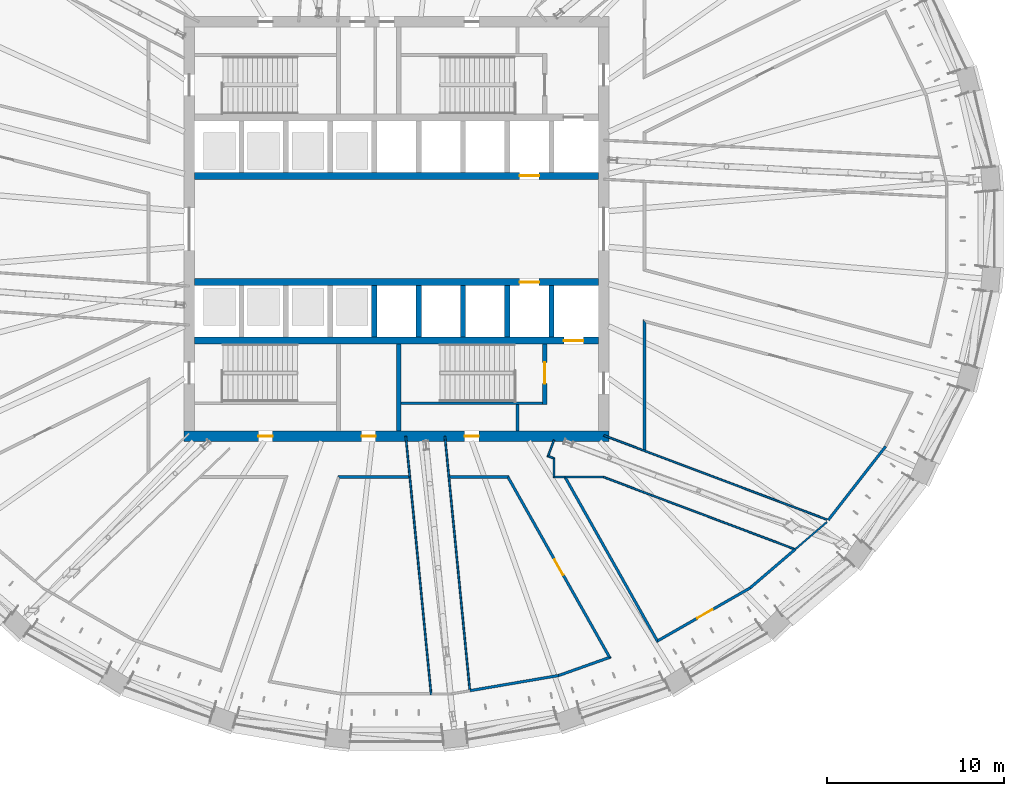
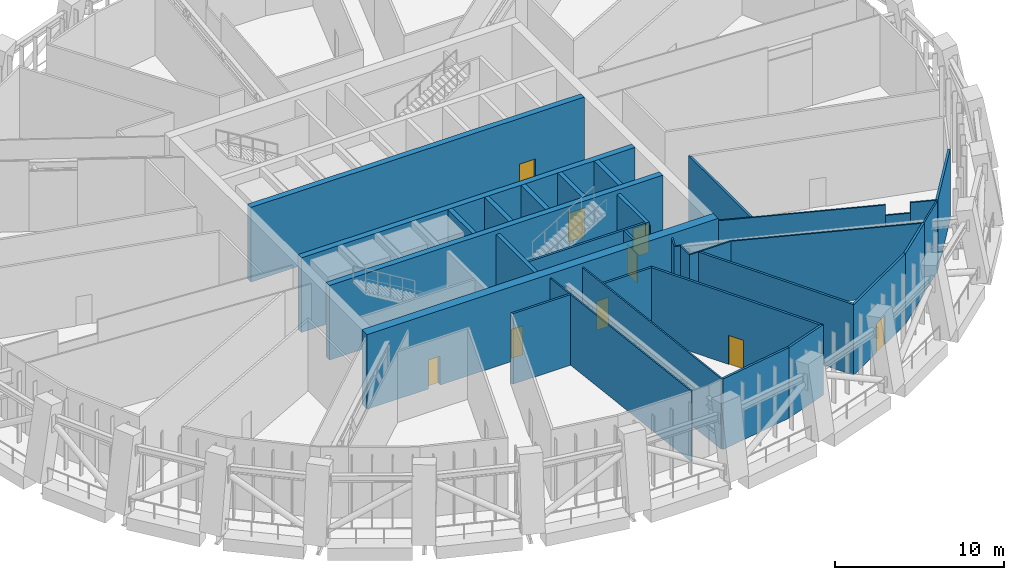
# One storey, part 8 of 21: 36 walls, 9 doors, 9 openings.
"""IFC4 building model written with IfcOpenShell, lengths in metres."""

from ifc_helpers import new_model, si_unit, direction, frame, frame_2d, origin, place, context, subcontext, project, spatial, polyline, rectangle, outline, extrude, material, layer, layer_set, type_object, element, fill, save


model = new_model("IFC4")

# Units and contexts
model_context = context("Model", 3, precision=1e-05, world=origin(), true_north=direction((0.0, 1.0)))
body_context = subcontext(model_context, "Body", "Model", "MODEL_VIEW")
ifc_project = project(units=[si_unit("LENGTHUNIT", "METRE"), si_unit("AREAUNIT", "SQUARE_METRE"), si_unit("VOLUMEUNIT", "CUBIC_METRE"), si_unit("PLANEANGLEUNIT", "RADIAN"), si_unit("MASSUNIT", "GRAM", prefix="KILO")], contexts=[model_context])

# Site, building, storey
site_placement = place(None, origin())
site = spatial("IfcSite", under=ifc_project, at=site_placement, CompositionType="ELEMENT")
building_placement = place(site_placement, origin())
building = spatial("IfcBuilding", under=site, at=building_placement, Name="Halqa Exchange Tower", CompositionType="ELEMENT")
storey_placement = place(building_placement, frame((0.0, 0.0, 173.5)))
storey = spatial("IfcBuildingStorey", under=building, at=storey_placement, Name="L39", CompositionType="ELEMENT", Elevation=173.5)

# Walls
ifc_material_1 = material(Name="Fire-rated gypsum board")
ifc_layer_1 = layer(ifc_material_1, 0.14990234375)
ifc_layer_set_1 = layer_set([ifc_layer_1], Name="Fire-rated gypsum board")
wall_type_1 = type_object("IfcWallType", Name="Fire partition EI 60 150", PredefinedType="PARTITIONING", material=ifc_layer_set_1)
wall_1_placement = place(storey_placement, frame((0.70703125, -14.0, 0.0), z_axis=(0.0, 0.0, 1.0), x_axis=(-1.0, 0.0, 0.0)))
element("IfcWall", 1, at=wall_1_placement, inside=storey, type_object=wall_type_1, Name="L39-PWL-050", PredefinedType="PARTITIONING", context=body_context, shape_type="SweptSolid", body=[
    extrude(outline(polyline([(4.020751953125, -0.074951171875), (4.020751953125, -0.074951171875), (3.967041015625, 0.0), (3.913330078125, 0.074951171875), (1.95654296875, 0.074951171875), (0.0, 0.074951171875), (0.0, 0.073974609375), (0.0068359375, 0.00390625), (0.0068359375, 0.00390625), (0.0146484375, -0.074951171875), (1.35009765625, -0.074951171875), (2.685302734375, -0.074951171875), (4.020751953125, -0.074951171875)])), origin(), (0.0, 0.0, 1.0), 5.10009765625),
])
wall_2_placement = place(storey_placement, frame((4.139892578125, -26.06005859375, 0.0), z_axis=(0.0, 0.0, 1.0), x_axis=(0.985642520361, 0.168845556817, 0.0)))
element("IfcWall", 2, at=wall_2_placement, inside=storey, type_object=wall_type_1, Name="L39-PWL-057", PredefinedType="PARTITIONING", context=body_context, shape_type="SweptSolid", body=[
    extrude(outline(polyline([(0.0, -0.074951171875), (1.699951171875, -0.074951171875), (3.39990234375, -0.074951171875), (5.099609375, -0.074951171875), (5.0869140625, 0.074951171875), (3.39111328125, 0.074951171875), (1.695556640625, 0.074951171875), (0.0, 0.074951171875), (0.0, -0.074951171875)])), origin(), (0.0, 0.0, 1.0), 5.10009765625),
])
wall_3_placement = place(storey_placement, frame((6.333740234375, -14.0, 0.0), z_axis=(0.0, 0.0, 1.0), x_axis=(-1.0, 0.0, 0.0)))
element("IfcWall", 3, at=wall_3_placement, inside=storey, type_object=wall_type_1, Name="L39-PWL-061", PredefinedType="PARTITIONING", context=body_context, shape_type="SweptSolid", body=[
    extrude(outline(polyline([(3.334716796875, -0.074951171875), (3.334716796875, -0.071533203125), (3.3203125, 0.074951171875), (1.703857421875, 0.074951171875), (0.08740234375, 0.074951171875), (0.043701171875, 0.0), (0.0, -0.074951171875), (0.0, -0.074951171875), (1.66748046875, -0.074951171875), (3.334716796875, -0.074951171875)])), origin(), (0.0, 0.0, 1.0), 5.10009765625),
])
wall_4_placement = place(storey_placement, frame((9.15380859375, -25.2021484375, 0.0), z_axis=(0.0, 0.0, 1.0), x_axis=(0.942266464774, 0.334864016224, 0.0)))
element("IfcWall", 4, at=wall_4_placement, inside=storey, type_object=wall_type_1, Name="L39-PWL-069", PredefinedType="PARTITIONING", context=body_context, shape_type="SweptSolid", body=[
    extrude(outline(polyline([(0.0, -0.074951171875), (1.57080078125, -0.074951171875), (3.1416015625, -0.074951171875), (2.96337890625, 0.074951171875), (1.48828125, 0.074951171875), (0.012939453125, 0.074951171875), (0.0, -0.074951171875)])), origin(), (0.0, 0.0, 1.0), 5.10009765625),
])
wall_5_placement = place(storey_placement, frame((9.517578125, -14.013671875, 0.0), z_axis=(0.0, 0.0, 1.0), x_axis=(0.490856680629, -0.871240333709, 0.0)))
element("IfcWall", 5, at=wall_5_placement, inside=storey, type_object=wall_type_1, Name="L39-PWL-070", PredefinedType="PARTITIONING", context=body_context, shape_type="SweptSolid", body=[
    extrude(outline(polyline([(0.0, -0.074951171875), (1.78076171875, -0.074951171875), (3.5615234375, -0.074951171875), (5.342529296875, -0.074951171875), (7.123291015625, -0.074951171875), (8.904052734375, -0.074951171875), (10.684814453125, -0.074951171875), (10.626220703125, -0.016845703125), (10.533935546875, 0.074951171875), (8.792236328125, 0.074951171875), (7.050537109375, 0.074951171875), (5.308837890625, 0.074951171875), (3.5673828125, 0.074951171875), (1.82568359375, 0.074951171875), (0.083984375, 0.074951171875), (0.02783203125, -0.0244140625), (0.0, -0.0087890625), (0.0, -0.00927734375), (0.027587890625, -0.02490234375), (0.0, -0.073974609375), (0.0, -0.074951171875)])), origin(), (0.0, 0.0, 1.0), 5.10009765625),
])

# Wall, opening, door
wall_6_placement = place(storey_placement, frame((12.07373046875, -24.2578125, 0.0), z_axis=(0.0, 0.0, 1.0), x_axis=(-0.491143591973, 0.87107862565, 0.0)))
wall_6 = element("IfcWall", 6, at=wall_6_placement, inside=storey, type_object=wall_type_1, Name="L39-PWL-077", PredefinedType="PARTITIONING", context=body_context, shape_type="SweptSolid", body=[
    extrude(outline(polyline([(0.000244140625, -0.074951171875), (1.97021484375, -0.074951171875), (3.940185546875, -0.074951171875), (5.91015625, -0.074951171875), (7.8798828125, -0.074951171875), (9.849853515625, -0.074951171875), (11.81982421875, -0.074951171875), (11.732177734375, 0.074951171875), (9.806640625, 0.074951171875), (7.881103515625, 0.074951171875), (5.955322265625, 0.074951171875), (4.02978515625, 0.074951171875), (2.10400390625, 0.074951171875), (0.178466796875, 0.074951171875), (0.000244140625, -0.074951171875)])), origin(), (0.0, 0.0, 1.0), 5.10009765625),
])
opening_1_placement = place(wall_6_placement, frame((5.4326171875, 0.0, 0.0)))
opening_1 = element("IfcOpeningElement", 7, at=opening_1_placement, cuts=wall_6, Name="Opening L39-05", PredefinedType="OPENING", context=body_context, shape_type="SweptSolid", body=[
    extrude(rectangle(XDim=1.0, YDim=2.10009765625, at=frame_2d((0.5, 1.050048828125))), frame((0.0, 0.0869140625, 0.0), z_axis=(0.0, -1.0, 0.0), x_axis=(1.0, 0.0, 0.0)), (0.0, 0.0, 1.0), 0.173828125),
])
ifc_material_2 = material(Name="Steel fire door leaf", Category="steel")
door_type_1 = type_object("IfcDoorType", Name="Fire door FD30S 1000 x 2100", OperationType="SINGLE_SWING_LEFT", PredefinedType="DOOR", material=ifc_material_2)
door_1_placement = place(opening_1_placement, origin())
door_1 = element("IfcDoor", 8, at=door_1_placement, inside=storey, type_object=door_type_1, Name="L39-IDR-005", OperationType="SINGLE_SWING_RIGHT", OverallHeight=2.10009765625, OverallWidth=1.0, PredefinedType="DOOR", context=body_context, shape_type="SweptSolid", body=[
    extrude(rectangle(XDim=1.0, YDim=2.10009765625, at=frame_2d((0.5, 1.050048828125))), frame((0.0, 0.02490234375, 0.0), z_axis=(0.0, -1.0, 0.0), x_axis=(1.0, 0.0, 0.0)), (0.0, 0.0, 1.0), 0.050048828125),
])
fill(opening_1, door_1)

# Wall
wall_7_placement = place(storey_placement, frame((14.0, -5.1123046875, 0.0), z_axis=(0.0, 0.0, 1.0), x_axis=(0.0, -1.0, 0.0)))
element("IfcWall", 9, at=wall_7_placement, inside=storey, type_object=wall_type_1, Name="L39-PWL-080", PredefinedType="PARTITIONING", context=body_context, shape_type="SweptSolid", body=[
    extrude(outline(polyline([(0.0, -0.074951171875), (1.830810546875, -0.074951171875), (3.661865234375, -0.074951171875), (5.49267578125, -0.074951171875), (7.32373046875, -0.074951171875), (7.380126953125, 0.07470703125), (7.380126953125, 0.074951171875), (5.583984375, 0.074951171875), (3.787841796875, 0.074951171875), (1.99169921875, 0.074951171875), (0.1953125, 0.074951171875), (0.09765625, 0.0), (0.0, -0.074951171875)])), origin(), (0.0, 0.0, 1.0), 5.10009765625),
])

# Wall, opening, door
wall_8_placement = place(storey_placement, frame((14.65966796875, -23.294677734375, 0.0), z_axis=(0.0, 0.0, 1.0), x_axis=(0.867839906405, 0.496843936111, 0.0)))
wall_8 = element("IfcWall", 10, at=wall_8_placement, inside=storey, type_object=wall_type_1, Name="L39-PWL-085", PredefinedType="PARTITIONING", context=body_context, shape_type="SweptSolid", body=[
    extrude(outline(polyline([(0.000244140625, -0.074951171875), (1.52880859375, -0.074951171875), (3.057373046875, -0.074951171875), (4.586181640625, -0.074951171875), (6.11474609375, -0.074951171875), (6.1005859375, 0.074951171875), (4.117431640625, 0.074951171875), (2.13427734375, 0.074951171875), (0.151123046875, 0.074951171875), (0.000244140625, -0.074951171875)])), origin(), (0.0, 0.0, 1.0), 5.10009765625),
])
opening_2_placement = place(wall_8_placement, frame((2.669189453125, 0.0, 0.0)))
opening_2 = element("IfcOpeningElement", 11, at=opening_2_placement, cuts=wall_8, Name="Opening L39-06", PredefinedType="OPENING", context=body_context, shape_type="SweptSolid", body=[
    extrude(rectangle(XDim=1.0, YDim=2.10009765625, at=frame_2d((0.5, 1.050048828125))), frame((0.0, 0.0869140625, 0.0), z_axis=(0.0, -1.0, 0.0), x_axis=(1.0, 0.0, 0.0)), (0.0, 0.0, 1.0), 0.173828125),
])
door_2_placement = place(opening_2_placement, origin())
door_2 = element("IfcDoor", 12, at=door_2_placement, inside=storey, type_object=door_type_1, Name="L39-IDR-006", OperationType="SINGLE_SWING_RIGHT", OverallHeight=2.10009765625, OverallWidth=1.0, PredefinedType="DOOR", context=body_context, shape_type="SweptSolid", body=[
    extrude(rectangle(XDim=1.0, YDim=2.10009765625, at=frame_2d((0.5, 1.050048828125))), frame((0.0, 0.02490234375, 0.0), z_axis=(0.0, -1.0, 0.0), x_axis=(1.0, 0.0, 0.0)), (0.0, 0.0, 1.0), 0.050048828125),
])
fill(opening_2, door_2)

# Walls
wall_9_placement = place(storey_placement, frame((19.95458984375, -20.2646484375, 0.0), z_axis=(0.0, 0.0, 1.0), x_axis=(0.75884543571, 0.651270761436, 0.0)))
element("IfcWall", 13, at=wall_9_placement, inside=storey, type_object=wall_type_1, Name="L39-PWL-088", PredefinedType="PARTITIONING", context=body_context, shape_type="SweptSolid", body=[
    extrude(outline(polyline([(3.354248046875, 0.074951171875), (1.684326171875, 0.074951171875), (0.01416015625, 0.074951171875), (0.0, -0.074951171875), (1.67724609375, -0.074951171875), (3.354248046875, -0.074951171875), (3.354248046875, 0.074951171875)])), origin(), (0.0, 0.0, 1.0), 5.10009765625),
])
wall_10_placement = place(storey_placement, frame((24.3701171875, -16.429931640625, 0.0), z_axis=(0.0, 0.0, 1.0), x_axis=(0.614465385261, 0.788943781467, 0.0)))
element("IfcWall", 14, at=wall_10_placement, inside=storey, type_object=wall_type_1, Name="L39-PWL-094", PredefinedType="PARTITIONING", context=body_context, shape_type="SweptSolid", body=[
    extrude(outline(polyline([(0.0, -0.074951171875), (1.76025390625, -0.074951171875), (3.5205078125, -0.074951171875), (5.28076171875, -0.074951171875), (5.264892578125, 0.074951171875), (3.509765625, 0.074951171875), (1.7548828125, 0.074951171875), (0.0, 0.074951171875), (0.0, -0.074951171875)])), origin(), (0.0, 0.0, 1.0), 5.10009765625),
])
ifc_material_3 = material(Name="Gypsum board")
ifc_layer_2 = layer(ifc_material_3, 0.10009765625)
ifc_layer_set_2 = layer_set([ifc_layer_2], Name="Gypsum board")
wall_type_2 = type_object("IfcWallType", Name="Partition 100 gypsum", PredefinedType="PARTITIONING", material=ifc_layer_set_2)
wall_11_placement = place(storey_placement, frame((0.52001953125, -11.699951171875, 0.0), z_axis=(0.0, 0.0, 1.0), x_axis=(0.099535104197, -0.995034051192, 0.0)))
element("IfcWall", 15, at=wall_11_placement, inside=storey, type_object=wall_type_2, Name="L39-PWL-049", PredefinedType="PARTITIONING", context=body_context, shape_type="SweptSolid", body=[
    extrude(outline(polyline([(0.0, -0.050048828125), (2.231201171875, -0.050048828125), (2.231201171875, -0.0498046875), (2.233154296875, -0.050048828125), (2.310546875, -0.050048828125), (2.310546875, -0.006103515625), (2.310546875, 0.050048828125), (0.0, 0.050048828125), (0.0, -0.050048828125)])), origin(), (0.0, 0.0, 1.0), 5.10009765625),
])
wall_12_placement = place(storey_placement, frame((0.75, -13.9990234375, 0.0), z_axis=(0.0, 0.0, 1.0), x_axis=(0.097559905923, -0.995229654279, 0.0)))
element("IfcWall", 16, at=wall_12_placement, inside=storey, type_object=wall_type_2, Name="L39-PWL-051", PredefinedType="PARTITIONING", context=body_context, shape_type="SweptSolid", body=[
    extrude(rectangle(XDim=12.349609375, YDim=0.10009765625, at=frame_2d((6.1748046875, 0.0))), origin(), (0.0, 0.0, 1.0), 5.10009765625),
])
wall_13_placement = place(storey_placement, frame((2.72998046875, -11.699951171875, 0.0), z_axis=(0.0, 0.0, 1.0), x_axis=(0.09772373037, -0.99521358136, 0.0)))
element("IfcWall", 17, at=wall_13_placement, inside=storey, type_object=wall_type_2, Name="L39-PWL-054", PredefinedType="PARTITIONING", context=body_context, shape_type="SweptSolid", body=[
    extrude(outline(polyline([(14.382568359375, -0.050048828125), (14.382568359375, -0.048828125), (14.379150390625, -0.003662109375), (14.382568359375, -0.00341796875), (14.382568359375, -0.00341796875), (14.354248046875, -0.00537109375), (14.350341796875, 0.050048828125), (12.357177734375, 0.050048828125), (10.364013671875, 0.050048828125), (8.370849609375, 0.050048828125), (6.377685546875, 0.050048828125), (4.384521484375, 0.050048828125), (2.391357421875, 0.050048828125), (2.391357421875, 0.049072265625), (2.38134765625, 0.050048828125), (0.0, 0.050048828125), (0.0, -0.050048828125), (1.7978515625, -0.050048828125), (3.595703125, -0.050048828125), (5.3935546875, -0.050048828125), (7.19140625, -0.050048828125), (8.989013671875, -0.050048828125), (10.786865234375, -0.050048828125), (12.584716796875, -0.050048828125), (14.382568359375, -0.050048828125)])), origin(), (0.0, 0.0, 1.0), 5.10009765625),
])
wall_14_placement = place(storey_placement, frame((8.503662109375, -12.80224609375, 0.0), z_axis=(0.0, 0.0, 1.0), x_axis=(0.933934171126, -0.357445050326, 0.0)))
element("IfcWall", 18, at=wall_14_placement, inside=storey, type_object=wall_type_2, Name="L39-PWL-064", PredefinedType="PARTITIONING", context=body_context, shape_type="SweptSolid", body=[
    extrude(outline(polyline([(0.0, -0.050048828125), (0.379150390625, -0.050048828125), (0.447998046875, 0.050048828125), (0.099365234375, 0.050048828125), (0.0, -0.050048828125)])), origin(), (0.0, 0.0, 1.0), 5.10009765625),
])
wall_15_placement = place(storey_placement, frame((8.840087890625, -14.0, 0.0), z_axis=(0.0, 0.0, 1.0), x_axis=(1.0, 0.0, 0.0)))
element("IfcWall", 19, at=wall_15_placement, inside=storey, type_object=wall_type_2, Name="L39-PWL-065", PredefinedType="PARTITIONING", context=body_context, shape_type="SweptSolid", body=[
    extrude(outline(polyline([(0.66943359375, 0.050048828125), (0.099853515625, 0.050048828125), (0.0, -0.0498046875), (0.0, -0.050048828125), (0.66943359375, -0.050048828125), (0.66943359375, 0.050048828125)])), origin(), (0.0, 0.0, 1.0), 5.10009765625),
])
wall_16_placement = place(storey_placement, frame((8.889892578125, -12.91552734375, 0.0), z_axis=(0.0, 0.0, 1.0), x_axis=(0.0, -1.0, 0.0)))
element("IfcWall", 20, at=wall_16_placement, inside=storey, type_object=wall_type_2, Name="L39-PWL-066", PredefinedType="PARTITIONING", context=body_context, shape_type="SweptSolid", body=[
    extrude(outline(polyline([(1.134521484375, -0.050048828125), (1.134521484375, -0.050048828125), (1.034423828125, 0.050048828125), (0.0, 0.050048828125), (0.069091796875, -0.050048828125), (1.134521484375, -0.050048828125)])), origin(), (0.0, 0.0, 1.0), 5.10009765625),
])
wall_17_placement = place(storey_placement, frame((8.889892578125, -11.909912109375, 0.0), z_axis=(0.0, 0.0, 1.0), x_axis=(-0.349812924814, -0.936819575817, 0.0)))
element("IfcWall", 21, at=wall_17_placement, inside=storey, type_object=wall_type_2, Name="L39-PWL-067", PredefinedType="PARTITIONING", context=body_context, shape_type="SweptSolid", body=[
    extrude(outline(polyline([(1.02099609375, -0.050048828125), (1.02099609375, -0.050048828125), (0.921875, 0.050048828125), (0.0, 0.050048828125), (0.0, -0.050048828125), (1.02099609375, -0.050048828125)])), origin(), (0.0, 0.0, 1.0), 5.10009765625),
])
wall_18_placement = place(storey_placement, frame((9.510009765625, -14.0, 0.0), z_axis=(0.0, 0.0, 1.0), x_axis=(1.0, 0.0, 0.0)))
element("IfcWall", 22, at=wall_18_placement, inside=storey, type_object=wall_type_2, Name="L39-PWL-071", PredefinedType="PARTITIONING", context=body_context, shape_type="SweptSolid", body=[
    extrude(outline(polyline([(0.0, -0.050048828125), (2.160888671875, -0.050048828125), (2.17919921875, 0.050048828125), (0.0, 0.050048828125), (0.0, -0.050048828125)])), origin(), (0.0, 0.0, 1.0), 5.10009765625),
])
wall_19_placement = place(storey_placement, frame((11.67138671875, -13.996826171875, 0.0), z_axis=(0.0, 0.0, 1.0), x_axis=(0.935692249909, -0.352817252215, 0.0)))
element("IfcWall", 23, at=wall_19_placement, inside=storey, type_object=wall_type_2, Name="L39-PWL-073", PredefinedType="PARTITIONING", context=body_context, shape_type="SweptSolid", body=[
    extrude(outline(polyline([(0.018310546875, -0.050048828125), (1.92529296875, -0.050048828125), (3.832275390625, -0.050048828125), (5.7392578125, -0.050048828125), (7.646240234375, -0.050048828125), (9.552978515625, -0.050048828125), (11.4599609375, -0.050048828125), (11.507080078125, 0.035888671875), (11.529052734375, 0.02392578125), (11.542724609375, 0.049072265625), (11.542724609375, 0.050048828125), (9.618896484375, 0.050048828125), (7.695068359375, 0.050048828125), (5.771484375, 0.050048828125), (3.84765625, 0.050048828125), (1.923828125, 0.050048828125), (0.0, 0.050048828125), (0.00927734375, 0.0), (0.018310546875, -0.0498046875), (0.018310546875, -0.050048828125), (0.018310546875, -0.050048828125)])), origin(), (0.0, 0.0, 1.0), 5.10009765625),
])
wall_20_placement = place(storey_placement, frame((11.699951171875, -11.64990234375, 0.0), z_axis=(0.0, 0.0, 1.0), x_axis=(0.935630078932, -0.352982089343, 0.0)))
element("IfcWall", 24, at=wall_20_placement, inside=storey, type_object=wall_type_2, Name="L39-PWL-074", PredefinedType="PARTITIONING", context=body_context, shape_type="SweptSolid", body=[
    extrude(rectangle(XDim=10.461181640625, YDim=0.10009765625, at=frame_2d((5.23046875, 0.0))), origin(), (0.0, 0.0, 1.0), 5.10009765625),
])
wall_21_placement = place(storey_placement, frame((22.5, -18.080078125, 0.0), z_axis=(0.0, 0.0, 1.0), x_axis=(0.758900038002, 0.651207134728, 0.0)))
element("IfcWall", 25, at=wall_21_placement, inside=storey, type_object=wall_type_2, Name="L39-PWL-091", PredefinedType="PARTITIONING", context=body_context, shape_type="SweptSolid", body=[
    extrude(rectangle(XDim=2.369140625, YDim=0.10009765625, at=frame_2d((1.1845703125, 0.0))), origin(), (0.0, 0.0, 1.0), 5.10009765625),
])
wall_22_placement = place(storey_placement, frame((21.48779296875, -15.342529296875, 0.0), z_axis=(0.0, 0.0, 1.0), x_axis=(0.935620103048, -0.353008530735, 0.0)))
element("IfcWall", 26, at=wall_22_placement, inside=storey, type_object=wall_type_2, Name="L39-PWL-113", PredefinedType="PARTITIONING", context=body_context, shape_type="SweptSolid", body=[
    extrude(rectangle(XDim=1.48974609375, YDim=0.10009765625, at=frame_2d((0.744873046875, 0.0))), origin(), (0.0, 0.0, 1.0), 4.346923828125),
])
wall_23_placement = place(storey_placement, frame((22.881591796875, -15.868408203125, 0.0), z_axis=(0.0, 0.0, 1.0), x_axis=(0.935614725435, -0.353022783327, 0.0)))
element("IfcWall", 27, at=wall_23_placement, inside=storey, type_object=wall_type_2, Name="L39-PWL-114", PredefinedType="PARTITIONING", context=body_context, shape_type="SweptSolid", body=[
    extrude(rectangle(XDim=1.520751953125, YDim=0.10009765625, at=frame_2d((0.76025390625, 0.0))), origin(), (0.0, 0.0, 1.0), 5.10009765625),
])
ifc_layer_3 = layer(ifc_material_3, 0.14990234375)
ifc_layer_set_3 = layer_set([ifc_layer_3], Name="Gypsum board")
wall_type_3 = type_object("IfcWallType", Name="Penthouse riser wall 150 gypsum", PredefinedType="PARTITIONING", material=ifc_layer_set_3)
wall_24_placement = place(storey_placement, frame((6.824951171875, -11.39990234375, 0.0), z_axis=(0.0, 0.0, 1.0), x_axis=(0.0, 1.0, 0.0)))
element("IfcWall", 28, at=wall_24_placement, inside=storey, type_object=wall_type_3, Name="Firefighting lobby west wall S", PredefinedType="PARTITIONING", context=body_context, shape_type="SweptSolid", body=[
    extrude(rectangle(XDim=1.5, YDim=0.14990234375, at=frame_2d((0.75, 0.0))), origin(), (0.0, 0.0, 1.0), 5.10009765625),
])
ifc_material_4 = material(Name="Concrete C60/75", Category="concrete")
ifc_layer_4 = layer(ifc_material_4, 0.300048828125)
ifc_layer_set_4 = layer_set([ifc_layer_4], Name="Concrete C60/75")
wall_type_4 = type_object("IfcWallType", Name="RC core wall 300", PredefinedType="SHEAR", material=ifc_layer_set_4)
for number, where, z_axis, x_axis, name in (
    (29, (-1.25, -6.10009765625, 0.0), (0.0, 0.0, 1.0), (0.0, 1.0, 0.0), "Shaft divider S4"),
    (30, (1.25, -6.10009765625, 0.0), (0.0, 0.0, 1.0), (0.0, 1.0, 0.0), "Shaft divider S5"),
    (31, (3.75, -6.10009765625, 0.0), (0.0, 0.0, 1.0), (0.0, 1.0, 0.0), "Shaft divider S6"),
    (32, (6.25, -6.10009765625, 0.0), (0.0, 0.0, 1.0), (0.0, 1.0, 0.0), "Shaft divider S7"),
    (33, (8.75, -6.10009765625, 0.0), (0.0, 0.0, 1.0), (0.0, 1.0, 0.0), "Shaft divider S8"),
):
    element("IfcWall", number, at=place(storey_placement, frame(where, z_axis=z_axis, x_axis=x_axis)), inside=storey, type_object=wall_type_4, Name=name, PredefinedType="SHEAR", context=body_context, shape_type="SweptSolid", body=[
        extrude(rectangle(XDim=2.900146484375, YDim=0.300048828125, at=frame_2d((1.4501953125, 0.0))), origin(), (0.0, 0.0, 1.0), 5.39990234375),
    ])

# Wall, opening, door
ifc_material_5 = material(Name="Concrete C70/85", Category="concrete")
ifc_layer_5 = layer(ifc_material_5, 0.39990234375)
ifc_layer_set_5 = layer_set([ifc_layer_5], Name="Concrete C70/85")
wall_type_5 = type_object("IfcWallType", Name="RC core wall 400 C70/85", PredefinedType="SHEAR", material=ifc_layer_set_5)
wall_25_placement = place(storey_placement, frame((-11.39990234375, 3.0, 0.0), z_axis=(0.0, 0.0, 1.0), x_axis=(1.0, 0.0, 0.0)))
wall_25 = element("IfcWall", 34, at=wall_25_placement, inside=storey, type_object=wall_type_5, Name="Lift row front wall N", PredefinedType="SHEAR", context=body_context, shape_type="SweptSolid", body=[
    extrude(rectangle(XDim=22.7998046875, YDim=0.39990234375, at=frame_2d((11.39990234375, 0.0))), origin(), (0.0, 0.0, 1.0), 5.39990234375),
])
opening_3_placement = place(wall_25_placement, frame((18.35009765625, 0.0, 0.0)))
opening_3 = element("IfcOpeningElement", 35, at=opening_3_placement, cuts=wall_25, Name="Opening LD-SV1-L39", PredefinedType="OPENING", context=body_context, shape_type="SweptSolid", body=[
    extrude(rectangle(XDim=1.10009765625, YDim=2.10009765625, at=frame_2d((0.550048828125, 1.050048828125))), frame((0.0, 0.2119140625, 0.0), z_axis=(0.0, -1.0, 0.0), x_axis=(1.0, 0.0, 0.0)), (0.0, 0.0, 1.0), 0.423828125),
])
ifc_material_6 = material(Name="Stainless steel", Category="steel")
door_type_2 = type_object("IfcDoorType", Name="Lift landing door 1100 x 2100", OperationType="SLIDING_TO_LEFT", PredefinedType="DOOR", material=ifc_material_6)
door_3_placement = place(opening_3_placement, origin())
door_3 = element("IfcDoor", 36, at=door_3_placement, inside=storey, type_object=door_type_2, Name="Lift landing door SV1", OperationType="SLIDING_TO_LEFT", OverallHeight=2.10009765625, OverallWidth=1.10009765625, PredefinedType="DOOR", context=body_context, shape_type="SweptSolid", body=[
    extrude(rectangle(XDim=1.10009765625, YDim=2.10009765625, at=frame_2d((0.550048828125, 1.050048828125))), frame((0.0, 0.02490234375, 0.0), z_axis=(0.0, -1.0, 0.0), x_axis=(1.0, 0.0, 0.0)), (0.0, 0.0, 1.0), 0.050048828125),
])
fill(opening_3, door_3)

wall_26_placement = place(storey_placement, frame((-11.39990234375, -3.0, 0.0), z_axis=(0.0, 0.0, 1.0), x_axis=(1.0, 0.0, 0.0)))
wall_26 = element("IfcWall", 37, at=wall_26_placement, inside=storey, type_object=wall_type_5, Name="Lift row front wall S", PredefinedType="SHEAR", context=body_context, shape_type="SweptSolid", body=[
    extrude(rectangle(XDim=22.7998046875, YDim=0.39990234375, at=frame_2d((11.39990234375, 0.0))), origin(), (0.0, 0.0, 1.0), 5.39990234375),
])
opening_4_placement = place(wall_26_placement, frame((18.35009765625, 0.0, 0.0)))
opening_4 = element("IfcOpeningElement", 38, at=opening_4_placement, cuts=wall_26, Name="Opening LD-SV2-L39", PredefinedType="OPENING", context=body_context, shape_type="SweptSolid", body=[
    extrude(rectangle(XDim=1.10009765625, YDim=2.10009765625, at=frame_2d((0.550048828125, 1.050048828125))), frame((0.0, 0.2119140625, 0.0), z_axis=(0.0, -1.0, 0.0), x_axis=(1.0, 0.0, 0.0)), (0.0, 0.0, 1.0), 0.423828125),
])
door_4_placement = place(opening_4_placement, origin())
door_4 = element("IfcDoor", 39, at=door_4_placement, inside=storey, type_object=door_type_2, Name="Lift landing door SV2", OperationType="SLIDING_TO_LEFT", OverallHeight=2.10009765625, OverallWidth=1.10009765625, PredefinedType="DOOR", context=body_context, shape_type="SweptSolid", body=[
    extrude(rectangle(XDim=1.10009765625, YDim=2.10009765625, at=frame_2d((0.550048828125, 1.050048828125))), frame((0.0, 0.02490234375, 0.0), z_axis=(0.0, -1.0, 0.0), x_axis=(1.0, 0.0, 0.0)), (0.0, 0.0, 1.0), 0.050048828125),
])
fill(opening_4, door_4)

wall_27_placement = place(storey_placement, frame((-11.39990234375, -6.300048828125, 0.0), z_axis=(0.0, 0.0, 1.0), x_axis=(1.0, 0.0, 0.0)))
wall_27 = element("IfcWall", 40, at=wall_27_placement, inside=storey, type_object=wall_type_5, Name="Lift row back wall S", PredefinedType="SHEAR", context=body_context, shape_type="SweptSolid", body=[
    extrude(rectangle(XDim=22.7998046875, YDim=0.39990234375, at=frame_2d((11.39990234375, 0.0))), origin(), (0.0, 0.0, 1.0), 5.39990234375),
])
opening_5_placement = place(wall_27_placement, frame((20.85009765625, 0.0, 0.0)))
opening_5 = element("IfcOpeningElement", 41, at=opening_5_placement, cuts=wall_27, Name="Opening LD-FF2-L39", PredefinedType="OPENING", context=body_context, shape_type="SweptSolid", body=[
    extrude(rectangle(XDim=1.10009765625, YDim=2.10009765625, at=frame_2d((0.550048828125, 1.050048828125))), frame((0.0, 0.2119140625, 0.0), z_axis=(0.0, -1.0, 0.0), x_axis=(1.0, 0.0, 0.0)), (0.0, 0.0, 1.0), 0.423828125),
])
door_5_placement = place(opening_5_placement, origin())
door_5 = element("IfcDoor", 42, at=door_5_placement, inside=storey, type_object=door_type_2, Name="Lift landing door FF2", OperationType="SLIDING_TO_LEFT", OverallHeight=2.10009765625, OverallWidth=1.10009765625, PredefinedType="DOOR", context=body_context, shape_type="SweptSolid", body=[
    extrude(rectangle(XDim=1.10009765625, YDim=2.10009765625, at=frame_2d((0.550048828125, 1.050048828125))), frame((0.0, 0.02490234375, 0.0), z_axis=(0.0, -1.0, 0.0), x_axis=(1.0, 0.0, 0.0)), (0.0, 0.0, 1.0), 0.050048828125),
])
fill(opening_5, door_5)

# Wall, openings, doors
ifc_layer_6 = layer(ifc_material_5, 0.60009765625)
ifc_layer_set_6 = layer_set([ifc_layer_6], Name="Concrete C70/85")
wall_type_6 = type_object("IfcWallType", Name="RC core wall 600 C70/85", PredefinedType="SHEAR", material=ifc_layer_set_6)
wall_28_placement = place(storey_placement, frame((-12.0, -11.699951171875, 0.0), z_axis=(0.0, 0.0, 1.0), x_axis=(1.0, 0.0, 0.0)))
wall_28 = element("IfcWall", 43, at=wall_28_placement, inside=storey, type_object=wall_type_6, Name="Core wall south", PredefinedType="SHEAR", context=body_context, shape_type="SweptSolid", body=[
    extrude(rectangle(XDim=24.0, YDim=0.60009765625, at=frame_2d((12.0, 0.0))), origin(), (0.0, 0.0, 1.0), 5.39990234375),
])
opening_6_placement = place(wall_28_placement, frame((10.02490234375, 0.0, 0.0)))
opening_6 = element("IfcOpeningElement", 44, at=opening_6_placement, cuts=wall_28, Name="Opening L39-C17", PredefinedType="OPENING", context=body_context, shape_type="SweptSolid", body=[
    extrude(rectangle(XDim=0.800048828125, YDim=2.10009765625, at=frame_2d((0.39990234375, 1.050048828125))), frame((0.0, 0.31201171875, 0.0), z_axis=(0.0, -1.0, 0.0), x_axis=(1.0, 0.0, 0.0)), (0.0, 0.0, 1.0), 0.6240234375),
])
opening_7_placement = place(wall_28_placement, frame((4.199951171875, 0.0, 0.0)))
opening_7 = element("IfcOpeningElement", 45, at=opening_7_placement, cuts=wall_28, Name="Opening L39-C18", PredefinedType="OPENING", context=body_context, shape_type="SweptSolid", body=[
    extrude(rectangle(XDim=0.800048828125, YDim=2.10009765625, at=frame_2d((0.39990234375, 1.050048828125))), frame((0.0, 0.31201171875, 0.0), z_axis=(0.0, -1.0, 0.0), x_axis=(1.0, 0.0, 0.0)), (0.0, 0.0, 1.0), 0.6240234375),
])
opening_8_placement = place(wall_28_placement, frame((15.85009765625, 0.0, 0.0)))
opening_8 = element("IfcOpeningElement", 46, at=opening_8_placement, cuts=wall_28, Name="Opening L39-C19", PredefinedType="OPENING", context=body_context, shape_type="SweptSolid", body=[
    extrude(rectangle(XDim=0.800048828125, YDim=2.10009765625, at=frame_2d((0.39990234375, 1.050048828125))), frame((0.0, 0.31201171875, 0.0), z_axis=(0.0, -1.0, 0.0), x_axis=(1.0, 0.0, 0.0)), (0.0, 0.0, 1.0), 0.6240234375),
])
door_type_3 = type_object("IfcDoorType", Name="Riser door FD60 800 x 2100", OperationType="SINGLE_SWING_LEFT", PredefinedType="DOOR", material=ifc_material_2)
door_6_placement = place(opening_6_placement, origin())
door_6 = element("IfcDoor", 47, at=door_6_placement, inside=storey, type_object=door_type_3, Name="Core room door", OperationType="SINGLE_SWING_RIGHT", OverallHeight=2.10009765625, OverallWidth=0.800048828125, PredefinedType="DOOR", context=body_context, shape_type="SweptSolid", body=[
    extrude(rectangle(XDim=0.800048828125, YDim=2.10009765625, at=frame_2d((0.39990234375, 1.050048828125))), frame((0.0, 0.02490234375, 0.0), z_axis=(0.0, -1.0, 0.0), x_axis=(1.0, 0.0, 0.0)), (0.0, 0.0, 1.0), 0.050048828125),
])
fill(opening_6, door_6)
door_7_placement = place(opening_7_placement, origin())
door_7 = element("IfcDoor", 48, at=door_7_placement, inside=storey, type_object=door_type_3, Name="Core room door", OperationType="SINGLE_SWING_LEFT", OverallHeight=2.10009765625, OverallWidth=0.800048828125, PredefinedType="DOOR", context=body_context, shape_type="SweptSolid", body=[
    extrude(rectangle(XDim=0.800048828125, YDim=2.10009765625, at=frame_2d((0.39990234375, 1.050048828125))), frame((0.0, 0.02490234375, 0.0), z_axis=(0.0, -1.0, 0.0), x_axis=(1.0, 0.0, 0.0)), (0.0, 0.0, 1.0), 0.050048828125),
])
fill(opening_7, door_7)
door_8_placement = place(opening_8_placement, origin())
door_8 = element("IfcDoor", 49, at=door_8_placement, inside=storey, type_object=door_type_3, Name="Core room door", OperationType="SINGLE_SWING_LEFT", OverallHeight=2.10009765625, OverallWidth=0.800048828125, PredefinedType="DOOR", context=body_context, shape_type="SweptSolid", body=[
    extrude(rectangle(XDim=0.800048828125, YDim=2.10009765625, at=frame_2d((0.39990234375, 1.050048828125))), frame((0.0, 0.02490234375, 0.0), z_axis=(0.0, -1.0, 0.0), x_axis=(1.0, 0.0, 0.0)), (0.0, 0.0, 1.0), 0.050048828125),
])
fill(opening_8, door_8)

# Walls
ifc_material_7 = material(Name="Concrete C30/37", Category="concrete")
ifc_layer_7 = layer(ifc_material_7, 0.14990234375)
ifc_layer_set_7 = layer_set([ifc_layer_7], Name="Concrete C30/37")
wall_type_7 = type_object("IfcWallType", Name="RC stair wall 150 C30/37", PredefinedType="SHEAR", material=ifc_layer_set_7)
wall_29_placement = place(storey_placement, frame((0.25, -9.824951171875, 0.0), z_axis=(0.0, 0.0, 1.0), x_axis=(1.0, 0.0, 0.0)))
element("IfcWall", 50, at=wall_29_placement, inside=storey, type_object=wall_type_7, Name="Stair ST2 north wall S", PredefinedType="SHEAR", context=body_context, shape_type="SweptSolid", body=[
    extrude(rectangle(XDim=8.0, YDim=0.14990234375, at=frame_2d((4.0, 0.0))), origin(), (0.0, 0.0, 1.0), 5.10009765625),
])
ifc_layer_8 = layer(ifc_material_7, 0.25)
ifc_layer_set_8 = layer_set([ifc_layer_8], Name="Concrete C30/37")
wall_type_8 = type_object("IfcWallType", Name="RC stair wall 250 C30/37", PredefinedType="SHEAR", material=ifc_layer_set_8)
wall_30_placement = place(storey_placement, frame((0.125, -11.39990234375, 0.0), z_axis=(0.0, 0.0, 1.0), x_axis=(0.0, 1.0, 0.0)))
element("IfcWall", 51, at=wall_30_placement, inside=storey, type_object=wall_type_8, Name="Stair ST2 west wall S", PredefinedType="SHEAR", context=body_context, shape_type="SweptSolid", body=[
    extrude(rectangle(XDim=4.89990234375, YDim=0.25, at=frame_2d((2.449951171875, 0.0))), origin(), (0.0, 0.0, 1.0), 5.10009765625),
])

# Wall, opening, door
wall_31_placement = place(storey_placement, frame((8.375, -9.89990234375, 0.0), z_axis=(0.0, 0.0, 1.0), x_axis=(0.0, 1.0, 0.0)))
wall_31 = element("IfcWall", 52, at=wall_31_placement, inside=storey, type_object=wall_type_8, Name="Stair ST2 east wall S", PredefinedType="SHEAR", context=body_context, shape_type="SweptSolid", body=[
    extrude(rectangle(XDim=3.39990234375, YDim=0.25, at=frame_2d((1.699951171875, 0.0))), origin(), (0.0, 0.0, 1.0), 5.10009765625),
])
opening_9_placement = place(wall_31_placement, frame((1.175048828125, 0.0, 0.0)))
opening_9 = element("IfcOpeningElement", 53, at=opening_9_placement, cuts=wall_31, Name="Opening L39-C10", PredefinedType="OPENING", context=body_context, shape_type="SweptSolid", body=[
    extrude(rectangle(XDim=1.199951171875, YDim=2.10009765625, at=frame_2d((0.60009765625, 1.050048828125))), frame((0.0, 0.136962890625, 0.0), z_axis=(0.0, -1.0, 0.0), x_axis=(1.0, 0.0, 0.0)), (0.0, 0.0, 1.0), 0.27392578125),
])
door_type_4 = type_object("IfcDoorType", Name="Stair door FD90 1200 x 2100", OperationType="SINGLE_SWING_LEFT", PredefinedType="DOOR", material=ifc_material_2)
door_9_placement = place(opening_9_placement, origin())
door_9 = element("IfcDoor", 54, at=door_9_placement, inside=storey, type_object=door_type_4, Name="Stair door ST4", OperationType="SINGLE_SWING_LEFT", OverallHeight=2.10009765625, OverallWidth=1.199951171875, PredefinedType="DOOR", context=body_context, shape_type="SweptSolid", body=[
    extrude(rectangle(XDim=1.199951171875, YDim=2.10009765625, at=frame_2d((0.60009765625, 1.050048828125))), frame((0.0, 0.02490234375, 0.0), z_axis=(0.0, -1.0, 0.0), x_axis=(1.0, 0.0, 0.0)), (0.0, 0.0, 1.0), 0.050048828125),
])
fill(opening_9, door_9)

save(model, "model.ifc")
